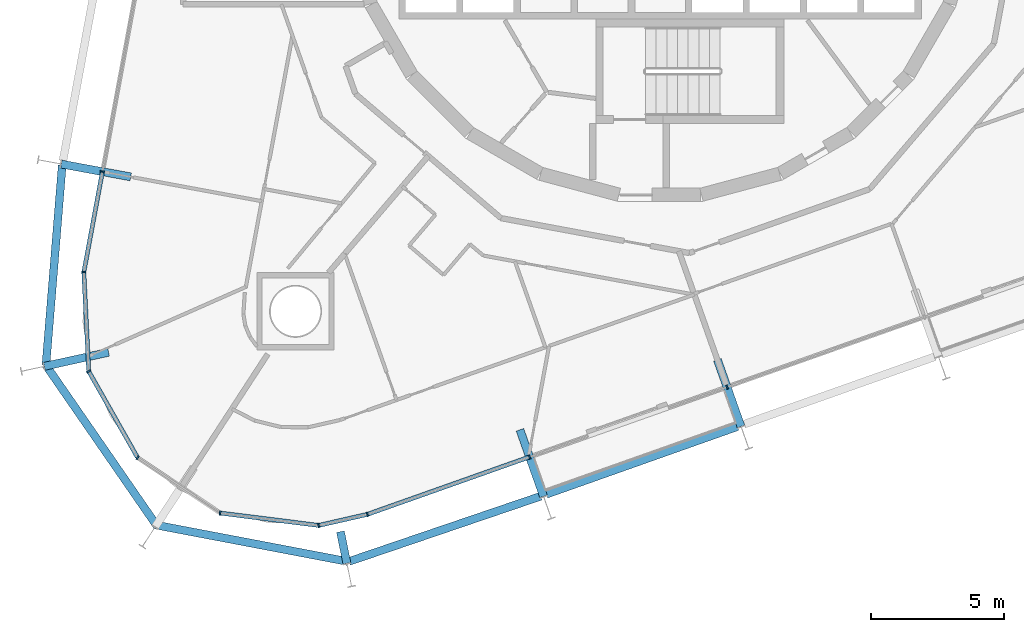
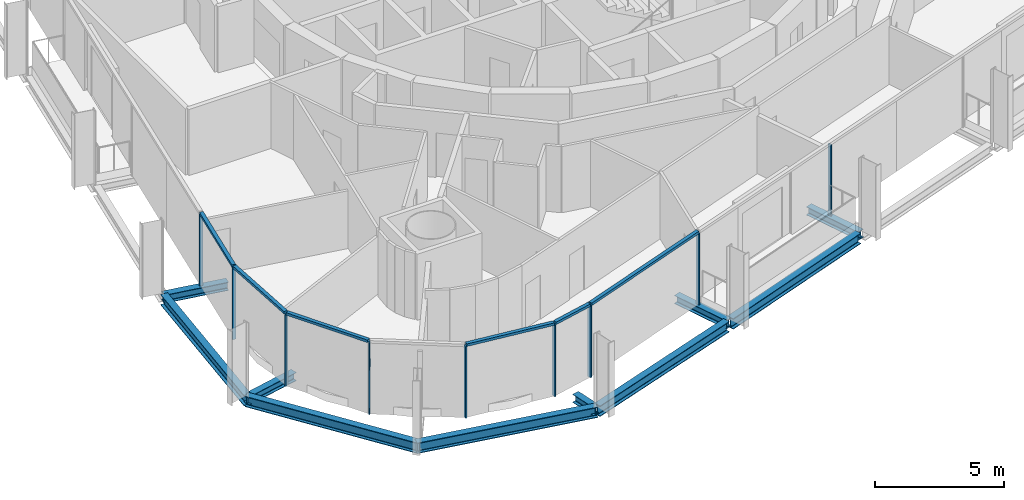
# One storey, part 2 of 17: 15 members, 10 beams, 2 elements without a shape of their own.
"""IFC4 building model written with IfcOpenShell, lengths in metres."""

from ifc_helpers import new_model, si_unit, direction, frame, origin, origin_2d, place, context, subcontext, project, spatial, rectangle, i_section, extrude, material, layer, layer_set, material_profile, profile_set, type_object, element, aggregate, save


model = new_model("IFC4")

# Units and contexts
model_context = context("Model", 3, precision=1e-05, world=origin(), true_north=direction((0.0, 1.0)))
body_context = subcontext(model_context, "Body", "Model", "MODEL_VIEW")
ifc_project = project(units=[si_unit("LENGTHUNIT", "METRE"), si_unit("AREAUNIT", "SQUARE_METRE"), si_unit("VOLUMEUNIT", "CUBIC_METRE"), si_unit("PLANEANGLEUNIT", "RADIAN"), si_unit("MASSUNIT", "GRAM", prefix="KILO")], contexts=[model_context])

# Site, building, storey
site_placement = place(None, origin())
site = spatial("IfcSite", under=ifc_project, at=site_placement, CompositionType="ELEMENT")
building_placement = place(site_placement, origin())
building = spatial("IfcBuilding", under=site, at=building_placement, Name="Spindle Arch Residences", CompositionType="ELEMENT")
storey_placement = place(building_placement, frame((0.0, 0.0, 158.699951171875)))
storey = spatial("IfcBuildingStorey", under=building, at=storey_placement, Name="L39", CompositionType="ELEMENT", Elevation=158.699951171875)

# Curtain wall, members
ifc_material_1 = material(Name="Aluminium bronze unitised frame with tinted glass", Category="aluminium")
ifc_layer_1 = layer(ifc_material_1, 0.159912109375)
ifc_layer_set_1 = layer_set([ifc_layer_1], Name="CW-D corner wall on the fillet arcs")
curtain_wall_type_1 = type_object("IfcCurtainWallType", Name="CW-D corner wall on the fillet arcs", PredefinedType="NOTDEFINED", material=ifc_layer_set_1)
curtain_wall_1_placement = place(storey_placement, origin())
curtain_wall_1 = element("IfcCurtainWall", 1, at=curtain_wall_1_placement, inside=storey, type_object=curtain_wall_type_1, Name="CW-D L39 run 5", PredefinedType="NOTDEFINED")
ifc_material_2 = material(Name="Aluminium bronze anodised mullion", Category="aluminium")
ifc_material_profile_1 = material_profile(ifc_material_2, rectangle(XDim=0.159912109375, YDim=0.06005859375, at=origin_2d()), Name="MU 60x160")
ifc_profile_set_1 = profile_set([ifc_material_profile_1], Name="Aluminium bronze anodised mullion")
member_type_1 = type_object("IfcMemberType", Name="Bronze mullion 60x160", PredefinedType="MULLION", material=ifc_profile_set_1)
member_1_placement = place(storey_placement, frame((-20.92724609375, -10.77685546875, -0.3798828125), z_axis=(0.0, 0.0, 1.0), x_axis=(0.983254907564, -0.182235525492, 0.0)))
member_1 = element("IfcMember", 2, at=member_1_placement, type_object=member_type_1, Name="CW-D mullion 00", PredefinedType="MULLION", context=body_context, shape_type="SweptSolid", body=[
    extrude(rectangle(XDim=0.159912109375, YDim=0.06005859375, at=origin_2d()), origin(), (0.0, 0.0, 1.0), 3.3798828125),
])
member_2_placement = place(storey_placement, frame((-21.6259765625, -14.546142578125, -0.3798828125), z_axis=(0.0, 0.0, 1.0), x_axis=(0.99877754864, 0.049430843939, 0.0)))
member_2 = element("IfcMember", 3, at=member_2_placement, type_object=member_type_1, Name="CW-D mullion 01", PredefinedType="MULLION", context=body_context, shape_type="SweptSolid", body=[
    extrude(rectangle(XDim=0.159912109375, YDim=0.06005859375, at=origin_2d()), origin(), (0.0, 0.0, 1.0), 3.3798828125),
])
member_3_placement = place(storey_placement, frame((-21.441650390625, -18.268310546875, -0.3798828125), z_axis=(0.0, 0.0, 1.0), x_axis=(0.870355694762, 0.492423562185, 0.0)))
member_3 = element("IfcMember", 4, at=member_3_placement, type_object=member_type_1, Name="CW-D mullion 02", PredefinedType="MULLION", context=body_context, shape_type="SweptSolid", body=[
    extrude(rectangle(XDim=0.159912109375, YDim=0.06005859375, at=origin_2d()), origin(), (0.0, 0.0, 1.0), 3.3798828125),
])
member_4_placement = place(storey_placement, frame((-19.6064453125, -21.511962890625, -0.3798828125), z_axis=(0.0, 0.0, 1.0), x_axis=(0.556778968928, 0.830660688705, 0.0)))
member_4 = element("IfcMember", 5, at=member_4_placement, type_object=member_type_1, Name="CW-D mullion 03", PredefinedType="MULLION", context=body_context, shape_type="SweptSolid", body=[
    extrude(rectangle(XDim=0.159912109375, YDim=0.06005859375, at=origin_2d()), origin(), (0.0, 0.0, 1.0), 3.3798828125),
])
member_5_placement = place(storey_placement, frame((-16.510986328125, -23.5869140625, -0.3798828125), z_axis=(0.0, 0.0, 1.0), x_axis=(0.12475602349, 0.992187449327, 0.0)))
member_5 = element("IfcMember", 6, at=member_5_placement, type_object=member_type_1, Name="CW-D mullion 04", PredefinedType="MULLION", context=body_context, shape_type="SweptSolid", body=[
    extrude(rectangle(XDim=0.159912109375, YDim=0.06005859375, at=origin_2d()), origin(), (0.0, 0.0, 1.0), 3.3798828125),
])
member_6_placement = place(storey_placement, frame((-12.813232421875, -24.0517578125, -0.3798828125), z_axis=(0.0, 0.0, 1.0), x_axis=(-0.222115779565, 0.975020297465, 0.0)))
member_6 = element("IfcMember", 7, at=member_6_placement, type_object=member_type_1, Name="CW-D mullion 05", PredefinedType="MULLION", context=body_context, shape_type="SweptSolid", body=[
    extrude(rectangle(XDim=0.159912109375, YDim=0.06005859375, at=origin_2d()), origin(), (0.0, 0.0, 1.0), 3.3798828125),
])
member_7_placement = place(storey_placement, frame((-10.984130859375, -23.63525390625, -0.3798828125), z_axis=(0.0, 0.0, 1.0), x_axis=(-0.333806859234, 0.942641491092, 0.0)))
member_7 = element("IfcMember", 8, at=member_7_placement, type_object=member_type_1, Name="CW-D mullion 06", PredefinedType="MULLION", context=body_context, shape_type="SweptSolid", body=[
    extrude(rectangle(XDim=0.159912109375, YDim=0.06005859375, at=origin_2d()), origin(), (0.0, 0.0, 1.0), 3.3798828125),
])

ifc_material_3 = material(Name="Aluminium bronze unitised frame with tinted glass", Category="aluminium")
ifc_layer_2 = layer(ifc_material_3, 0.159912109375)
ifc_layer_set_2 = layer_set([ifc_layer_2], Name="CW-C typical residential unitised wall")
curtain_wall_type_2 = type_object("IfcCurtainWallType", Name="CW-C typical residential unitised wall", PredefinedType="NOTDEFINED", material=ifc_layer_set_2)
curtain_wall_2_placement = place(storey_placement, origin())
curtain_wall_2 = element("IfcCurtainWall", 9, at=curtain_wall_2_placement, inside=storey, type_object=curtain_wall_type_2, Name="CW-C L39 run 6", PredefinedType="NOTDEFINED")
member_8_placement = place(storey_placement, frame((-4.900634765625, -21.48095703125, -0.3798828125), z_axis=(0.0, 0.0, 1.0), x_axis=(-0.333806859234, 0.942641491092, 0.0)))
member_8 = element("IfcMember", 10, at=member_8_placement, type_object=member_type_1, Name="CW-C mullion 20", PredefinedType="MULLION", context=body_context, shape_type="SweptSolid", body=[
    extrude(rectangle(XDim=0.159912109375, YDim=0.06005859375, at=origin_2d()), origin(), (0.0, 0.0, 1.0), 3.3798828125),
])
member_9_placement = place(storey_placement, frame((2.508544921875, -18.857177734375, -0.3798828125), z_axis=(0.0, 0.0, 1.0), x_axis=(-0.333806859234, 0.942641491092, 0.0)))
member_9 = element("IfcMember", 11, at=member_9_placement, type_object=member_type_1, Name="CW-C mullion 21", PredefinedType="MULLION", context=body_context, shape_type="SweptSolid", body=[
    extrude(rectangle(XDim=0.159912109375, YDim=0.06005859375, at=origin_2d()), origin(), (0.0, 0.0, 1.0), 3.3798828125),
])
aggregate(curtain_wall_2, [member_8, member_9])

# Member
ifc_material_4 = material(Name="Aluminium bronze anodised transom", Category="aluminium")
ifc_material_profile_2 = material_profile(ifc_material_4, rectangle(XDim=0.159912109375, YDim=0.1201171875, at=origin_2d()), Name="TR 120x160")
ifc_profile_set_2 = profile_set([ifc_material_profile_2], Name="Aluminium bronze anodised transom")
member_type_2 = type_object("IfcMemberType", Name="Bronze transom 120x160", PredefinedType="USERDEFINED", material=ifc_profile_set_2)
member_10_placement = place(storey_placement, frame((-20.932861328125, -10.806396484375, 3.06005859375), z_axis=(-0.182198152475, -0.983261833509, 0.0), x_axis=(0.983261833509, -0.182198152475, 0.0)))
member_10 = element("IfcMember", 12, at=member_10_placement, type_object=member_type_2, Name="CW-D transom 00", ObjectType="TRANSOM", PredefinedType="USERDEFINED", context=body_context, shape_type="SweptSolid", body=[
    extrude(rectangle(XDim=0.159912109375, YDim=0.1201171875, at=origin_2d()), origin(), (0.0, 0.0, 1.0), 3.7734375),
])

member_11_placement = place(storey_placement, frame((-21.62451171875, -14.576171875, 3.06005859375), z_axis=(0.049472678643, -0.998775477306, 0.0), x_axis=(0.998775477306, 0.049472678643, 0.0)))
member_11 = element("IfcMember", 13, at=member_11_placement, type_object=member_type_2, Name="CW-D transom 01", ObjectType="TRANSOM", PredefinedType="USERDEFINED", context=body_context, shape_type="SweptSolid", body=[
    extrude(rectangle(XDim=0.159912109375, YDim=0.1201171875, at=origin_2d()), origin(), (0.0, 0.0, 1.0), 3.66650390625),
])

member_12_placement = place(storey_placement, frame((-21.427001953125, -18.29443359375, 3.06005859375), z_axis=(0.49243456751, -0.870349468157, 0.0), x_axis=(0.870349468157, 0.49243456751, 0.0)))
member_12 = element("IfcMember", 14, at=member_12_placement, type_object=member_type_2, Name="CW-D transom 02", ObjectType="TRANSOM", PredefinedType="USERDEFINED", context=body_context, shape_type="SweptSolid", body=[
    extrude(rectangle(XDim=0.159912109375, YDim=0.1201171875, at=origin_2d()), origin(), (0.0, 0.0, 1.0), 3.666748046875),
])

member_13_placement = place(storey_placement, frame((-16.481201171875, -23.590576171875, 3.06005859375), z_axis=(0.992185413992, -0.12477220949, 0.0), x_axis=(0.12477220949, 0.992185413992, 0.0)))
member_13 = element("IfcMember", 15, at=member_13_placement, type_object=member_type_2, Name="CW-D transom 04", ObjectType="TRANSOM", PredefinedType="USERDEFINED", context=body_context, shape_type="SweptSolid", body=[
    extrude(rectangle(XDim=0.159912109375, YDim=0.1201171875, at=origin_2d()), origin(), (0.0, 0.0, 1.0), 3.666748046875),
])

member_14_placement = place(storey_placement, frame((-12.783935546875, -24.045166015625, 3.06005859375), z_axis=(0.975028425033, 0.222080099015, 0.0), x_axis=(-0.222080099015, 0.975028425033, 0.0)))
member_14 = element("IfcMember", 16, at=member_14_placement, type_object=member_type_2, Name="CW-D transom 05", ObjectType="TRANSOM", PredefinedType="USERDEFINED", context=body_context, shape_type="SweptSolid", body=[
    extrude(rectangle(XDim=0.159912109375, YDim=0.1201171875, at=origin_2d()), origin(), (0.0, 0.0, 1.0), 1.816162109375),
])

member_15_placement = place(storey_placement, frame((-10.955810546875, -23.625244140625, 3.06005859375), z_axis=(0.942638740525, 0.333814626495, 0.0), x_axis=(-0.333814626495, 0.942638740525, 0.0)))
member_15 = element("IfcMember", 17, at=member_15_placement, type_object=member_type_2, Name="CW-D transom 06", ObjectType="TRANSOM", PredefinedType="USERDEFINED", context=body_context, shape_type="SweptSolid", body=[
    extrude(rectangle(XDim=0.159912109375, YDim=0.1201171875, at=origin_2d()), origin(), (0.0, 0.0, 1.0), 6.3935546875),
])

aggregate(curtain_wall_1, [member_1, member_10, member_2, member_11, member_3, member_12, member_4, member_5, member_13, member_6, member_14, member_7, member_15])

# Beams
ifc_material_5 = material(Name="Steel S460ML, intumescent coating R 120", Category="steel")
ifc_material_profile_3 = material_profile(ifc_material_5, i_section(OverallWidth=0.300048828125, OverallDepth=0.5, WebThickness=0.014404296875, FlangeThickness=0.028076171875, FilletRadius=0.027099609375, at=origin_2d()), Name="HEB 500")
ifc_profile_set_3 = profile_set([ifc_material_profile_3], Name="Steel S460ML, intumescent coating R 120")
beam_type_1 = type_object("IfcBeamType", Name="Exoskeleton edge beam HEB 500", PredefinedType="BEAM", material=ifc_profile_set_3)
beam_1_placement = place(storey_placement, frame((-22.43408203125, -10.530517578125, -0.6298828125), z_axis=(-0.081396168561, -0.996681826735, 0.0), x_axis=(0.996681826735, -0.081396168561, 0.0)))
element("IfcBeam", 18, at=beam_1_placement, inside=storey, type_object=beam_type_1, Name="Exoskeleton edge beam 17", PredefinedType="BEAM", context=body_context, shape_type="SweptSolid", body=[
    extrude(i_section(OverallWidth=0.300048828125, OverallDepth=0.5, WebThickness=0.014404296875, FlangeThickness=0.028076171875, FilletRadius=0.027099609375, at=origin_2d()), origin(), (0.0, 0.0, 1.0), 7.534423828125),
])
for number, where, z_axis, x_axis, name in (
    (19, (-23.07080078125, -18.006103515625, -0.6298828125), (0.568398589538, -0.822753330842, 0.0), (0.822753330842, 0.568398589538, 0.0), "Exoskeleton edge beam 18"),
    (20, (-18.972900390625, -24.025390625, -0.6298828125), (0.982369437961, -0.186949959509, 0.0), (0.186949959509, 0.982369437961, 0.0), "Exoskeleton edge beam 19"),
):
    element("IfcBeam", number, at=place(storey_placement, frame(where, z_axis=z_axis, x_axis=x_axis)), inside=storey, type_object=beam_type_1, Name=name, PredefinedType="BEAM", context=body_context, shape_type="SweptSolid", body=[
        extrude(i_section(OverallWidth=0.300048828125, OverallDepth=0.5, WebThickness=0.014404296875, FlangeThickness=0.028076171875, FilletRadius=0.027099609375, at=origin_2d()), origin(), (0.0, 0.0, 1.0), 7.4033203125),
    ])
beam_2_placement = place(storey_placement, frame((-11.672119140625, -25.401123046875, -0.6298828125), z_axis=(0.94672748231, 0.322035827571, 0.0), x_axis=(-0.322035827571, 0.94672748231, 0.0)))
element("IfcBeam", 21, at=beam_2_placement, inside=storey, type_object=beam_type_1, Name="Exoskeleton edge beam 20", PredefinedType="BEAM", context=body_context, shape_type="SweptSolid", body=[
    extrude(i_section(OverallWidth=0.300048828125, OverallDepth=0.5, WebThickness=0.014404296875, FlangeThickness=0.028076171875, FilletRadius=0.027099609375, at=origin_2d()), origin(), (0.0, 0.0, 1.0), 7.596435546875),
])
beam_3_placement = place(storey_placement, frame((-4.267333984375, -22.8798828125, -0.6298828125), z_axis=(0.942633964352, 0.33382811333, 0.0), x_axis=(-0.33382811333, 0.942633964352, 0.0)))
element("IfcBeam", 22, at=beam_3_placement, inside=storey, type_object=beam_type_1, Name="Exoskeleton edge beam 21", PredefinedType="BEAM", context=body_context, shape_type="SweptSolid", body=[
    extrude(i_section(OverallWidth=0.300048828125, OverallDepth=0.5, WebThickness=0.014404296875, FlangeThickness=0.028076171875, FilletRadius=0.027099609375, at=origin_2d()), origin(), (0.0, 0.0, 1.0), 7.60009765625),
])
ifc_material_6 = material(Name="Steel S460ML, intumescent coating R 120", Category="steel")
ifc_material_profile_4 = material_profile(ifc_material_6, i_section(OverallWidth=0.300048828125, OverallDepth=0.389892578125, WebThickness=0.010986328125, FlangeThickness=0.01904296875, FilletRadius=0.027099609375, at=origin_2d()), Name="HEA 400")
ifc_profile_set_4 = profile_set([ifc_material_profile_4], Name="Steel S460ML, intumescent coating R 120")
beam_type_2 = type_object("IfcBeamType", Name="Floor outrigger HEA 400", PredefinedType="BEAM", material=ifc_profile_set_4)
beam_4_placement = place(storey_placement, frame((-22.470947265625, -10.49072265625, -0.574951171875), z_axis=(0.983253888741, -0.182241022482, 0.0), x_axis=(0.182241022482, 0.983253888741, 0.0)))
element("IfcBeam", 23, at=beam_4_placement, inside=storey, type_object=beam_type_2, Name="Floor outrigger 17", PredefinedType="BEAM", context=body_context, shape_type="SweptSolid", body=[
    extrude(i_section(OverallWidth=0.300048828125, OverallDepth=0.389892578125, WebThickness=0.010986328125, FlangeThickness=0.01904296875, FilletRadius=0.027099609375, at=origin_2d()), origin(), (0.0, 0.0, 1.0), 2.64990234375),
])
beam_5_placement = place(storey_placement, frame((-23.108154296875, -18.081298828125, -0.574951171875), z_axis=(0.976889051541, 0.21374700227, 0.0), x_axis=(-0.21374700227, 0.976889051541, 0.0)))
element("IfcBeam", 24, at=beam_5_placement, inside=storey, type_object=beam_type_2, Name="Floor outrigger 18", PredefinedType="BEAM", context=body_context, shape_type="SweptSolid", body=[
    extrude(i_section(OverallWidth=0.300048828125, OverallDepth=0.389892578125, WebThickness=0.010986328125, FlangeThickness=0.01904296875, FilletRadius=0.027099609375, at=origin_2d()), origin(), (0.0, 0.0, 1.0), 2.469482421875),
])
beam_6_placement = place(storey_placement, frame((-11.75390625, -25.47412109375, -0.574951171875), z_axis=(-0.199668771983, 0.979863450433, 0.0), x_axis=(-0.979863450433, -0.199668771983, 0.0)))
element("IfcBeam", 25, at=beam_6_placement, inside=storey, type_object=beam_type_2, Name="Floor outrigger 20", PredefinedType="BEAM", context=body_context, shape_type="SweptSolid", body=[
    extrude(i_section(OverallWidth=0.300048828125, OverallDepth=0.389892578125, WebThickness=0.010986328125, FlangeThickness=0.01904296875, FilletRadius=0.027099609375, at=origin_2d()), origin(), (0.0, 0.0, 1.0), 1.21533203125),
])
beam_7_placement = place(storey_placement, frame((-4.376708984375, -22.9609375, -0.574951171875), z_axis=(-0.333778924893, 0.942651382695, 0.0), x_axis=(-0.942651382695, -0.333778924893, 0.0)))
element("IfcBeam", 26, at=beam_7_placement, inside=storey, type_object=beam_type_2, Name="Floor outrigger 21", PredefinedType="BEAM", context=body_context, shape_type="SweptSolid", body=[
    extrude(i_section(OverallWidth=0.300048828125, OverallDepth=0.389892578125, WebThickness=0.010986328125, FlangeThickness=0.01904296875, FilletRadius=0.027099609375, at=origin_2d()), origin(), (0.0, 0.0, 1.0), 2.64990234375),
])
beam_8_placement = place(storey_placement, frame((3.03271484375, -20.337158203125, -0.574951171875), z_axis=(-0.333860785086, 0.942622393211, 0.0), x_axis=(-0.942622393211, -0.333860785086, 0.0)))
element("IfcBeam", 27, at=beam_8_placement, inside=storey, type_object=beam_type_2, Name="Floor outrigger 22", PredefinedType="BEAM", context=body_context, shape_type="SweptSolid", body=[
    extrude(i_section(OverallWidth=0.300048828125, OverallDepth=0.389892578125, WebThickness=0.010986328125, FlangeThickness=0.01904296875, FilletRadius=0.027099609375, at=origin_2d()), origin(), (0.0, 0.0, 1.0), 2.650146484375),
])

save(model, "model.ifc")
